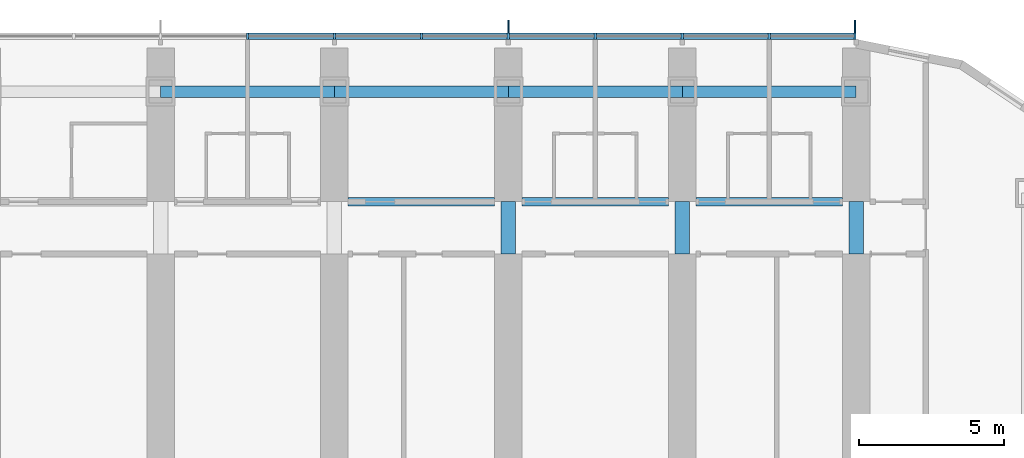
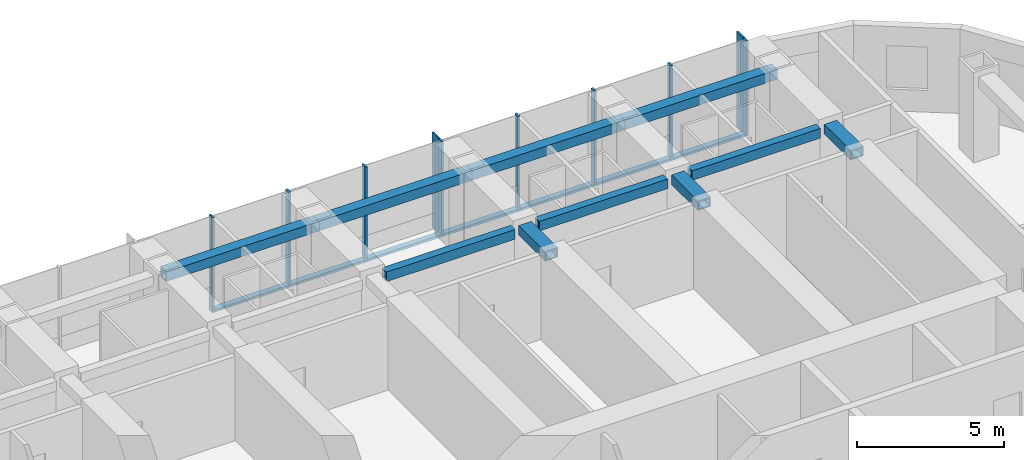
# One storey, part 7 of 25: 17 members, 10 beams, 1 element without a shape of its own.
"""IFC4 building model written with IfcOpenShell, lengths in metres."""

import ifcopenshell
import ifcopenshell.guid

model = None  # the IFC model being written
_history = None  # IfcOwnerHistory: only IFC2X3 demands one
_inside = {}  # id of a spatial element -> (the spatial element, [elements in it])
_under = {}  # id of a project, library or spatial element -> (it, [spatial elements below it])
_declared = {}  # id of a project -> (the project, [libraries it declares])
_typed = {}  # id of a type object -> (the type object, [elements of that type])
_made_of = {}  # id of a material, layer set ... -> (it, [elements and type objects made of it])


def new_model(schema):
    """Start an empty IFC model of exactly this schema.

    Asked for "IFC4X3", IfcOpenShell would pick the latest addendum, in which some entities
    have other attributes; the version numbers below select the first issue.
    IFC2X3 requires an IfcOwnerHistory on every rooted entity: one is made here for all.
    """
    global model, _history
    if schema == "IFC4X3":
        model = ifcopenshell.file(schema_version=(4, 3, 0, 0))
    else:
        model = ifcopenshell.file(schema=schema)
    _inside.clear()
    _under.clear()
    _declared.clear()
    _typed.clear()
    _made_of.clear()
    _history = None
    if model.schema == "IFC2X3":
        org = make("IfcOrganization", Name="unknown")
        user = make(
            "IfcPersonAndOrganization",
            ThePerson=make("IfcPerson", FamilyName="unknown"),
            TheOrganization=org,
        )
        app = make(
            "IfcApplication",
            ApplicationDeveloper=org,
            Version="unknown",
            ApplicationFullName="unknown",
            ApplicationIdentifier="unknown",
        )
        _history = make(
            "IfcOwnerHistory",
            OwningUser=user,
            OwningApplication=app,
            ChangeAction="ADDED",
            CreationDate=0,
        )
    return model


def make(cls, **values):
    """One entity of the class cls with the attributes given. An attribute that is None is left unset."""
    return model.create_entity(
        cls, **{name: value for name, value in values.items() if value is not None}
    )


def rooted(cls, **values):
    """An entity with a GlobalId (a new one), such as an element, a storey or a relation."""
    return make(cls, GlobalId=ifcopenshell.guid.new(), OwnerHistory=_history, **values)


def si_unit(unit_type, name, prefix=None):
    """IfcSIUnit, for example si_unit("LENGTHUNIT", "METRE", prefix="MILLI")."""
    return make("IfcSIUnit", UnitType=unit_type, Prefix=prefix, Name=name)


def assignment(units):
    """IfcUnitAssignment: the units of a project."""
    return None if units is None else make("IfcUnitAssignment", Units=units)


def point(xyz):
    """IfcCartesianPoint."""
    return None if xyz is None else make("IfcCartesianPoint", Coordinates=xyz)


def direction(xyz):
    """IfcDirection."""
    return None if xyz is None else make("IfcDirection", DirectionRatios=xyz)


def frame(location, z_axis=None, x_axis=None):
    """IfcAxis2Placement3D, a coordinate frame: its origin and axes. An axis left out is left unset."""
    return make(
        "IfcAxis2Placement3D",
        Location=point(location),
        Axis=direction(z_axis),
        RefDirection=direction(x_axis),
    )


def frame_2d(location, x_axis=None):
    """IfcAxis2Placement2D, a coordinate frame in the plane: its origin and x axis."""
    return make(
        "IfcAxis2Placement2D", Location=point(location), RefDirection=direction(x_axis)
    )


def origin():
    """The frame at (0, 0, 0) with its axes left unset."""
    return frame((0.0, 0.0, 0.0))


def origin_2d():
    """The frame at (0, 0) in the plane with its x axis left unset."""
    return frame_2d((0.0, 0.0))


def place(relative_to, where):
    """IfcLocalPlacement: puts the frame where relative to a parent placement (None: the world)."""
    return make(
        "IfcLocalPlacement", PlacementRelTo=relative_to, RelativePlacement=where
    )


def context(
    kind, dimensions, precision=None, world=None, true_north=None, identifier=None
):
    """IfcGeometricRepresentationContext, for example the 3D "Model" context."""
    return make(
        "IfcGeometricRepresentationContext",
        ContextIdentifier=identifier,
        ContextType=kind,
        CoordinateSpaceDimension=dimensions,
        Precision=precision,
        WorldCoordinateSystem=world,
        TrueNorth=true_north,
    )


def subcontext(parent, identifier, kind, view, scale=None):
    """IfcGeometricRepresentationSubContext, for example "Body" below "Model"."""
    return make(
        "IfcGeometricRepresentationSubContext",
        ContextIdentifier=identifier,
        ContextType=kind,
        ParentContext=parent,
        TargetScale=scale,
        TargetView=view,
    )


def project(units=None, contexts=None):
    """IfcProject with its units and contexts."""
    return rooted(
        "IfcProject",
        Name="project",
        RepresentationContexts=contexts,
        UnitsInContext=assignment(units),
    )


def spatial(cls, under=None, at=None, **own):
    """A site, building, storey or space (cls), placed at a placement, below another one or the project."""
    s = rooted(cls, ObjectPlacement=at, **own)
    if under is not None:
        _under.setdefault(under.id(), (under, []))[1].append(s)
    return s


def profile(cls, at=None, kind="AREA", **sizes):
    """A parametric profile (cls). Its sizes go by their IFC names, for example OverallWidth=200.0."""
    return make(cls, ProfileType=kind, Position=at, **sizes)


def rectangle(**sizes):
    """IfcRectangleProfileDef."""
    return profile("IfcRectangleProfileDef", **sizes)


def hollow_rectangle(**sizes):
    """IfcRectangleHollowProfileDef."""
    return profile("IfcRectangleHollowProfileDef", **sizes)


def extrude(swept, where, along, depth):
    """IfcExtrudedAreaSolid: the profile swept, set in the frame where, extruded along a direction by depth."""
    return make(
        "IfcExtrudedAreaSolid",
        SweptArea=swept,
        Position=where,
        ExtrudedDirection=direction(along),
        Depth=depth,
    )


def shape(context_of_items, identifier, shape_type, items):
    """IfcShapeRepresentation: the items that make up one representation, for example the "Body"."""
    return make(
        "IfcShapeRepresentation",
        ContextOfItems=context_of_items,
        RepresentationIdentifier=identifier,
        RepresentationType=shape_type,
        Items=items,
    )


def material(Name=None, Category=None):
    """IfcMaterial."""
    return make("IfcMaterial", Name=Name, Category=Category)


def material_profile(
    of_material, cross_section, Name=None, Category=None, Priority=None
):
    """IfcMaterialProfile: a cross section and its material."""
    return make(
        "IfcMaterialProfile",
        Name=Name,
        Material=of_material,
        Profile=cross_section,
        Priority=Priority,
        Category=Category,
    )


def profile_set(profiles, Name=None, composite=None):
    """IfcMaterialProfileSet."""
    return make(
        "IfcMaterialProfileSet",
        Name=Name,
        MaterialProfiles=profiles,
        CompositeProfile=composite,
    )


def made_of(thing, what):
    """Note that an element or type object is made of a material, layer set ...; save() writes the relation."""
    if what is not None:
        _made_of.setdefault(what.id(), (what, []))[1].append(thing)
    return thing


def type_object(cls, material=None, **own):
    """A type object (cls), such as IfcWallType, which elements share."""
    return made_of(rooted(cls, **own), material)


def element(
    cls,
    number,
    at=None,
    inside=None,
    cuts=None,
    type_object=None,
    material=None,
    context=None,
    identifier="Body",
    shape_type=None,
    held_by="IfcProductDefinitionShape",
    body=None,
    shapes=None,
    **own,
):
    """One element of the class cls, such as IfcWall. Its Tag is "e" and its number.

    at: its placement. inside: the storey or other place that contains it. cuts: it is an
    opening in that element (IfcRelVoidsElement). A single representation is given by context,
    identifier, shape_type and body (its items); several are given by shapes. held_by: the class
    of the entity that holds the representations. save() writes the other relations.
    """
    e = rooted(cls, Tag="e%d" % number, ObjectPlacement=at, **own)
    if body is not None:
        shapes = [shape(context, identifier, shape_type, body)]
    if shapes is not None:
        e.Representation = make(held_by, Representations=shapes)
    if inside is not None:
        _inside.setdefault(inside.id(), (inside, []))[1].append(e)
    if cuts is not None:
        rooted(
            "IfcRelVoidsElement", RelatingBuildingElement=cuts, RelatedOpeningElement=e
        )
    if type_object is not None:
        _typed.setdefault(type_object.id(), (type_object, []))[1].append(e)
    return made_of(e, material)


def aggregate(whole, parts):
    """IfcRelAggregates: a whole, such as a stair, and the parts it consists of."""
    return rooted("IfcRelAggregates", RelatingObject=whole, RelatedObjects=parts)


def save(model, path):
    """Write the relations noted so far, then the file.

    IfcRelAggregates (storeys below a building ...), IfcRelContainedInSpatialStructure (elements
    in a storey), IfcRelDefinesByType, IfcRelAssociatesMaterial and IfcRelDeclares: one each for
    every whole, place, type object, material and project.
    """
    for whole, parts in _under.values():
        aggregate(whole, parts)
    for where, things in _inside.values():
        rooted(
            "IfcRelContainedInSpatialStructure",
            RelatedElements=things,
            RelatingStructure=where,
        )
    for kind, things in _typed.values():
        rooted("IfcRelDefinesByType", RelatedObjects=things, RelatingType=kind)
    for what, things in _made_of.values():
        rooted("IfcRelAssociatesMaterial", RelatedObjects=things, RelatingMaterial=what)
    for by, libraries in _declared.values():
        rooted("IfcRelDeclares", RelatingContext=by, RelatedDefinitions=libraries)
    model.write(path)


model = new_model("IFC4")

# Units and contexts
model_context = context("Model", 3, precision=1e-05, world=origin(), true_north=direction((0.0, 1.0)))
body_context = subcontext(model_context, "Body", "Model", "MODEL_VIEW")
ifc_project = project(units=[si_unit("LENGTHUNIT", "METRE"), si_unit("AREAUNIT", "SQUARE_METRE"), si_unit("VOLUMEUNIT", "CUBIC_METRE"), si_unit("PLANEANGLEUNIT", "RADIAN"), si_unit("MASSUNIT", "GRAM", prefix="KILO")], contexts=[model_context])

# Site, building, storey
site_placement = place(None, origin())
site = spatial("IfcSite", under=ifc_project, at=site_placement, CompositionType="ELEMENT")
building_placement = place(site_placement, origin())
building = spatial("IfcBuilding", under=site, at=building_placement, Name="Orbita Commons", CompositionType="ELEMENT")
storey_placement = place(building_placement, frame((0.0, 0.0, 99.39990234375)))
storey = spatial("IfcBuildingStorey", under=building, at=storey_placement, Name="L24", CompositionType="ELEMENT", Elevation=99.39990234375)

# Curtain wall, members
ifc_material_1 = material(Name="Anodised aluminium frame, pale silver", Category="aluminium")
curtain_wall_type = type_object("IfcCurtainWallType", Name="Unitised curtain wall CW-T, vision and spandrel", PredefinedType="NOTDEFINED", material=ifc_material_1)
curtain_wall_placement = place(storey_placement, origin())
curtain_wall = element("IfcCurtainWall", 1, at=curtain_wall_placement, inside=storey, type_object=curtain_wall_type, Name="Curtain wall north L24", PredefinedType="NOTDEFINED")
ifc_material_2 = material(Name="Anodised aluminium, pale silver", Category="aluminium")
ifc_material_profile_1 = material_profile(ifc_material_2, rectangle(XDim=0.080078125, YDim=0.219970703125, at=origin_2d()), Name="AL 80x220")
ifc_profile_set_1 = profile_set([ifc_material_profile_1], Name="Anodised aluminium, pale silver")
member_type_1 = type_object("IfcMemberType", Name="Curtain wall mullion 80x220", PredefinedType="MULLION", material=ifc_profile_set_1)
member_1_placement = place(storey_placement, frame((65.9599609375, 55.510009765625, -0.449951171875), z_axis=(0.0, 0.0, 1.0), x_axis=(-1.0, 0.0, 0.0)))
member_1 = element("IfcMember", 2, at=member_1_placement, type_object=member_type_1, Name="Mullion 1 CW-L24-N", PredefinedType="MULLION", context=body_context, shape_type="SweptSolid", body=[
    extrude(rectangle(XDim=0.080078125, YDim=0.219970703125, at=origin_2d()), origin(), (0.0, 0.0, 1.0), 3.949951171875),
])
member_2_placement = place(storey_placement, frame((63.0, 55.510009765625, -0.449951171875), z_axis=(0.0, 0.0, 1.0), x_axis=(-1.0, 0.0, 0.0)))
member_2 = element("IfcMember", 3, at=member_2_placement, type_object=member_type_1, Name="Mullion 2 CW-L24-N", PredefinedType="MULLION", context=body_context, shape_type="SweptSolid", body=[
    extrude(rectangle(XDim=0.080078125, YDim=0.219970703125, at=origin_2d()), origin(), (0.0, 0.0, 1.0), 3.949951171875),
])
member_3_placement = place(storey_placement, frame((60.0, 55.510009765625, -0.449951171875), z_axis=(0.0, 0.0, 1.0), x_axis=(-1.0, 0.0, 0.0)))
member_3 = element("IfcMember", 4, at=member_3_placement, type_object=member_type_1, Name="Mullion 3 CW-L24-N", PredefinedType="MULLION", context=body_context, shape_type="SweptSolid", body=[
    extrude(rectangle(XDim=0.080078125, YDim=0.219970703125, at=origin_2d()), origin(), (0.0, 0.0, 1.0), 3.949951171875),
])
member_4_placement = place(storey_placement, frame((57.0, 55.510009765625, -0.449951171875), z_axis=(0.0, 0.0, 1.0), x_axis=(-1.0, 0.0, 0.0)))
member_4 = element("IfcMember", 5, at=member_4_placement, type_object=member_type_1, Name="Mullion 4 CW-L24-N", PredefinedType="MULLION", context=body_context, shape_type="SweptSolid", body=[
    extrude(rectangle(XDim=0.080078125, YDim=0.219970703125, at=origin_2d()), origin(), (0.0, 0.0, 1.0), 3.949951171875),
])
member_5_placement = place(storey_placement, frame((54.0, 55.510009765625, -0.449951171875), z_axis=(0.0, 0.0, 1.0), x_axis=(-1.0, 0.0, 0.0)))
member_5 = element("IfcMember", 6, at=member_5_placement, type_object=member_type_1, Name="Mullion 5 CW-L24-N", PredefinedType="MULLION", context=body_context, shape_type="SweptSolid", body=[
    extrude(rectangle(XDim=0.080078125, YDim=0.219970703125, at=origin_2d()), origin(), (0.0, 0.0, 1.0), 3.949951171875),
])
member_6_placement = place(storey_placement, frame((51.0, 55.510009765625, -0.449951171875), z_axis=(0.0, 0.0, 1.0), x_axis=(-1.0, 0.0, 0.0)))
member_6 = element("IfcMember", 7, at=member_6_placement, type_object=member_type_1, Name="Mullion 6 CW-L24-N", PredefinedType="MULLION", context=body_context, shape_type="SweptSolid", body=[
    extrude(rectangle(XDim=0.080078125, YDim=0.219970703125, at=origin_2d()), origin(), (0.0, 0.0, 1.0), 3.949951171875),
])
member_7_placement = place(storey_placement, frame((48.0, 55.510009765625, -0.449951171875), z_axis=(0.0, 0.0, 1.0), x_axis=(-1.0, 0.0, 0.0)))
member_7 = element("IfcMember", 8, at=member_7_placement, type_object=member_type_1, Name="Mullion 7 CW-L24-N", PredefinedType="MULLION", context=body_context, shape_type="SweptSolid", body=[
    extrude(rectangle(XDim=0.080078125, YDim=0.219970703125, at=origin_2d()), origin(), (0.0, 0.0, 1.0), 3.949951171875),
])
member_8_placement = place(storey_placement, frame((45.0, 55.510009765625, -0.449951171875), z_axis=(0.0, 0.0, 1.0), x_axis=(-1.0, 0.0, 0.0)))
member_8 = element("IfcMember", 9, at=member_8_placement, type_object=member_type_1, Name="Mullion 8 CW-L24-N", PredefinedType="MULLION", context=body_context, shape_type="SweptSolid", body=[
    extrude(rectangle(XDim=0.080078125, YDim=0.219970703125, at=origin_2d()), origin(), (0.0, 0.0, 1.0), 3.949951171875),
])
ifc_material_3 = material(Name="Anodised aluminium, pale silver", Category="aluminium")
ifc_material_profile_2 = material_profile(ifc_material_3, rectangle(XDim=0.219970703125, YDim=0.10009765625, at=origin_2d()), Name="AL 220x100")
ifc_profile_set_2 = profile_set([ifc_material_profile_2], Name="Anodised aluminium, pale silver")
member_type_2 = type_object("IfcMemberType", Name="Curtain wall stack transom 220x100", PredefinedType="USERDEFINED", material=ifc_profile_set_2)
member_9_placement = place(storey_placement, frame((65.919921875, 55.510009765625, -0.39990234375), z_axis=(-1.0, 0.0, 0.0), x_axis=(0.0, -1.0, 0.0)))
member_9 = element("IfcMember", 10, at=member_9_placement, type_object=member_type_2, Name="Transom 1.1 CW-L24-N", ObjectType="TRANSOM", PredefinedType="USERDEFINED", context=body_context, shape_type="SweptSolid", body=[
    extrude(rectangle(XDim=0.219970703125, YDim=0.10009765625, at=origin_2d()), origin(), (0.0, 0.0, 1.0), 2.8798828125),
])
member_10_placement = place(storey_placement, frame((62.9599609375, 55.510009765625, -0.39990234375), z_axis=(-1.0, 0.0, 0.0), x_axis=(0.0, -1.0, 0.0)))
member_10 = element("IfcMember", 11, at=member_10_placement, type_object=member_type_2, Name="Transom 2.1 CW-L24-N", ObjectType="TRANSOM", PredefinedType="USERDEFINED", context=body_context, shape_type="SweptSolid", body=[
    extrude(rectangle(XDim=0.219970703125, YDim=0.10009765625, at=origin_2d()), origin(), (0.0, 0.0, 1.0), 2.919921875),
])
member_11_placement = place(storey_placement, frame((59.9599609375, 55.510009765625, -0.39990234375), z_axis=(-1.0, 0.0, 0.0), x_axis=(0.0, -1.0, 0.0)))
member_11 = element("IfcMember", 12, at=member_11_placement, type_object=member_type_2, Name="Transom 3.1 CW-L24-N", ObjectType="TRANSOM", PredefinedType="USERDEFINED", context=body_context, shape_type="SweptSolid", body=[
    extrude(rectangle(XDim=0.219970703125, YDim=0.10009765625, at=origin_2d()), origin(), (0.0, 0.0, 1.0), 2.919921875),
])
member_12_placement = place(storey_placement, frame((56.9599609375, 55.510009765625, -0.39990234375), z_axis=(-1.0, 0.0, 0.0), x_axis=(0.0, -1.0, 0.0)))
member_12 = element("IfcMember", 13, at=member_12_placement, type_object=member_type_2, Name="Transom 4.1 CW-L24-N", ObjectType="TRANSOM", PredefinedType="USERDEFINED", context=body_context, shape_type="SweptSolid", body=[
    extrude(rectangle(XDim=0.219970703125, YDim=0.10009765625, at=origin_2d()), origin(), (0.0, 0.0, 1.0), 2.919921875),
])
member_13_placement = place(storey_placement, frame((53.9599609375, 55.510009765625, -0.39990234375), z_axis=(-1.0, 0.0, 0.0), x_axis=(0.0, -1.0, 0.0)))
member_13 = element("IfcMember", 14, at=member_13_placement, type_object=member_type_2, Name="Transom 5.1 CW-L24-N", ObjectType="TRANSOM", PredefinedType="USERDEFINED", context=body_context, shape_type="SweptSolid", body=[
    extrude(rectangle(XDim=0.219970703125, YDim=0.10009765625, at=origin_2d()), origin(), (0.0, 0.0, 1.0), 2.919921875),
])
member_14_placement = place(storey_placement, frame((50.9599609375, 55.510009765625, -0.39990234375), z_axis=(-1.0, 0.0, 0.0), x_axis=(0.0, -1.0, 0.0)))
member_14 = element("IfcMember", 15, at=member_14_placement, type_object=member_type_2, Name="Transom 6.1 CW-L24-N", ObjectType="TRANSOM", PredefinedType="USERDEFINED", context=body_context, shape_type="SweptSolid", body=[
    extrude(rectangle(XDim=0.219970703125, YDim=0.10009765625, at=origin_2d()), origin(), (0.0, 0.0, 1.0), 2.919921875),
])
member_15_placement = place(storey_placement, frame((47.9599609375, 55.510009765625, -0.39990234375), z_axis=(-1.0, 0.0, 0.0), x_axis=(0.0, -1.0, 0.0)))
member_15 = element("IfcMember", 16, at=member_15_placement, type_object=member_type_2, Name="Transom 7.1 CW-L24-N", ObjectType="TRANSOM", PredefinedType="USERDEFINED", context=body_context, shape_type="SweptSolid", body=[
    extrude(rectangle(XDim=0.219970703125, YDim=0.10009765625, at=origin_2d()), origin(), (0.0, 0.0, 1.0), 2.919921875),
])

# Beams
ifc_material_4 = material(Name="Steel ASTM A572 Gr 50 welded plate", Category="steel")
ifc_material_profile_3 = material_profile(ifc_material_4, hollow_rectangle(XDim=0.300048828125, YDim=0.39990234375, WallThickness=0.0400390625, at=origin_2d()), Name="BOX 400x300x40")
ifc_profile_set_3 = profile_set([ifc_material_profile_3], Name="Steel ASTM A572 Gr 50 welded plate")
beam_type_1 = type_object("IfcBeamType", Name="Steel corridor link BOX 400x300x40", PredefinedType="BEAM", material=ifc_profile_set_3)
for number, where, z_axis, x_axis, name in (
    (17, (48.47509765625, 49.800048828125, 3.300048828125), (1.0, 0.0, 0.0), (0.0, 1.0, 0.0), "Corridor beam NB 9-10 L24"),
    (18, (54.47509765625, 49.800048828125, 3.300048828125), (1.0, 0.0, 0.0), (0.0, 1.0, 0.0), "Corridor beam NB 10-11 L24"),
    (19, (60.47509765625, 49.800048828125, 3.300048828125), (1.0, 0.0, 0.0), (0.0, 1.0, 0.0), "Corridor beam NB 11-12 L24"),
):
    element("IfcBeam", number, at=place(storey_placement, frame(where, z_axis=z_axis, x_axis=x_axis)), inside=storey, type_object=beam_type_1, Name=name, PredefinedType="BEAM", context=body_context, shape_type="SweptSolid", body=[
        extrude(hollow_rectangle(XDim=0.300048828125, YDim=0.39990234375, WallThickness=0.0400390625, at=origin_2d()), origin(), (0.0, 0.0, 1.0), 5.0498046875),
    ])
ifc_material_5 = material(Name="Steel ASTM A572 Gr 50 welded plate", Category="steel")
ifc_material_profile_4 = material_profile(ifc_material_5, hollow_rectangle(XDim=0.5, YDim=0.39990234375, WallThickness=0.050048828125, at=origin_2d()), Name="BOX 400x500x50")
ifc_profile_set_4 = profile_set([ifc_material_profile_4], Name="Steel ASTM A572 Gr 50 welded plate")
beam_type_2 = type_object("IfcBeamType", Name="Steel coupling link BOX 400x500x50", PredefinedType="LINTEL", material=ifc_profile_set_4)
for number, where, z_axis, x_axis, name in (
    (20, (54.0, 48.0, 3.300048828125), (0.0, 1.0, 0.0), (-1.0, 0.0, 0.0), "Coupling beam 10 north L24"),
    (21, (60.0, 48.0, 3.300048828125), (0.0, 1.0, 0.0), (-1.0, 0.0, 0.0), "Coupling beam 11 north L24"),
    (22, (66.0, 48.0, 3.300048828125), (0.0, 1.0, 0.0), (-1.0, 0.0, 0.0), "Coupling beam 12 north L24"),
):
    element("IfcBeam", number, at=place(storey_placement, frame(where, z_axis=z_axis, x_axis=x_axis)), inside=storey, type_object=beam_type_2, Name=name, PredefinedType="LINTEL", context=body_context, shape_type="SweptSolid", body=[
        extrude(hollow_rectangle(XDim=0.5, YDim=0.39990234375, WallThickness=0.050048828125, at=origin_2d()), origin(), (0.0, 0.0, 1.0), 1.800048828125),
    ])
ifc_material_6 = material(Name="Steel ASTM A572 Gr 50 welded plate", Category="steel")
ifc_material_profile_5 = material_profile(ifc_material_6, hollow_rectangle(XDim=0.39990234375, YDim=0.39990234375, WallThickness=0.0400390625, at=origin_2d()), Name="BOX 400x400x40")
ifc_profile_set_5 = profile_set([ifc_material_profile_5], Name="Steel ASTM A572 Gr 50 welded plate")
beam_type_3 = type_object("IfcBeamType", Name="Steel spandrel BOX 400x400x40", PredefinedType="SPANDREL", material=ifc_profile_set_5)
for number, where, z_axis, x_axis, name in (
    (23, (42.0, 53.60009765625, 3.300048828125), (1.0, 0.0, 0.0), (0.0, 1.0, 0.0), "Spandrel beam E 8-9 L24"),
    (24, (48.0, 53.60009765625, 3.300048828125), (1.0, 0.0, 0.0), (0.0, 1.0, 0.0), "Spandrel beam E 9-10 L24"),
    (25, (54.0, 53.60009765625, 3.300048828125), (1.0, 0.0, 0.0), (0.0, 1.0, 0.0), "Spandrel beam E 10-11 L24"),
    (26, (60.0, 53.60009765625, 3.300048828125), (1.0, 0.0, 0.0), (0.0, 1.0, 0.0), "Spandrel beam E 11-12 L24"),
):
    element("IfcBeam", number, at=place(storey_placement, frame(where, z_axis=z_axis, x_axis=x_axis)), inside=storey, type_object=beam_type_3, Name=name, PredefinedType="SPANDREL", context=body_context, shape_type="SweptSolid", body=[
        extrude(hollow_rectangle(XDim=0.39990234375, YDim=0.39990234375, WallThickness=0.0400390625, at=origin_2d()), origin(), (0.0, 0.0, 1.0), 6.0),
    ])

# Member
ifc_material_7 = material(Name="Anodised aluminium, pale silver", Category="aluminium")
ifc_material_profile_6 = material_profile(ifc_material_7, rectangle(XDim=0.06005859375, YDim=0.449951171875, at=origin_2d()), Name="FIN 60x450")
ifc_profile_set_6 = profile_set([ifc_material_profile_6], Name="Anodised aluminium, pale silver")
member_type_3 = type_object("IfcMemberType", Name="Vertical fin 60x450 pale aluminium", PredefinedType="USERDEFINED", material=ifc_profile_set_6)
member_16_placement = place(storey_placement, frame((65.9599609375, 55.844970703125, -0.449951171875), z_axis=(0.0, 0.0, 1.0), x_axis=(-1.0, 0.0, 0.0)))
member_16 = element("IfcMember", 27, at=member_16_placement, type_object=member_type_3, Name="Fin 1 CW-L24-N", ObjectType="FIN", PredefinedType="USERDEFINED", context=body_context, shape_type="SweptSolid", body=[
    extrude(rectangle(XDim=0.06005859375, YDim=0.449951171875, at=origin_2d()), origin(), (0.0, 0.0, 1.0), 3.949951171875),
])

member_17_placement = place(storey_placement, frame((54.0, 55.844970703125, -0.449951171875), z_axis=(0.0, 0.0, 1.0), x_axis=(-1.0, 0.0, 0.0)))
member_17 = element("IfcMember", 28, at=member_17_placement, type_object=member_type_3, Name="Fin 5 CW-L24-N", ObjectType="FIN", PredefinedType="USERDEFINED", context=body_context, shape_type="SweptSolid", body=[
    extrude(rectangle(XDim=0.06005859375, YDim=0.449951171875, at=origin_2d()), origin(), (0.0, 0.0, 1.0), 3.949951171875),
])

aggregate(curtain_wall, [member_1, member_16, member_2, member_3, member_4, member_5, member_17, member_6, member_7, member_8, member_9, member_10, member_11, member_12, member_13, member_14, member_15])

save(model, "model.ifc")
